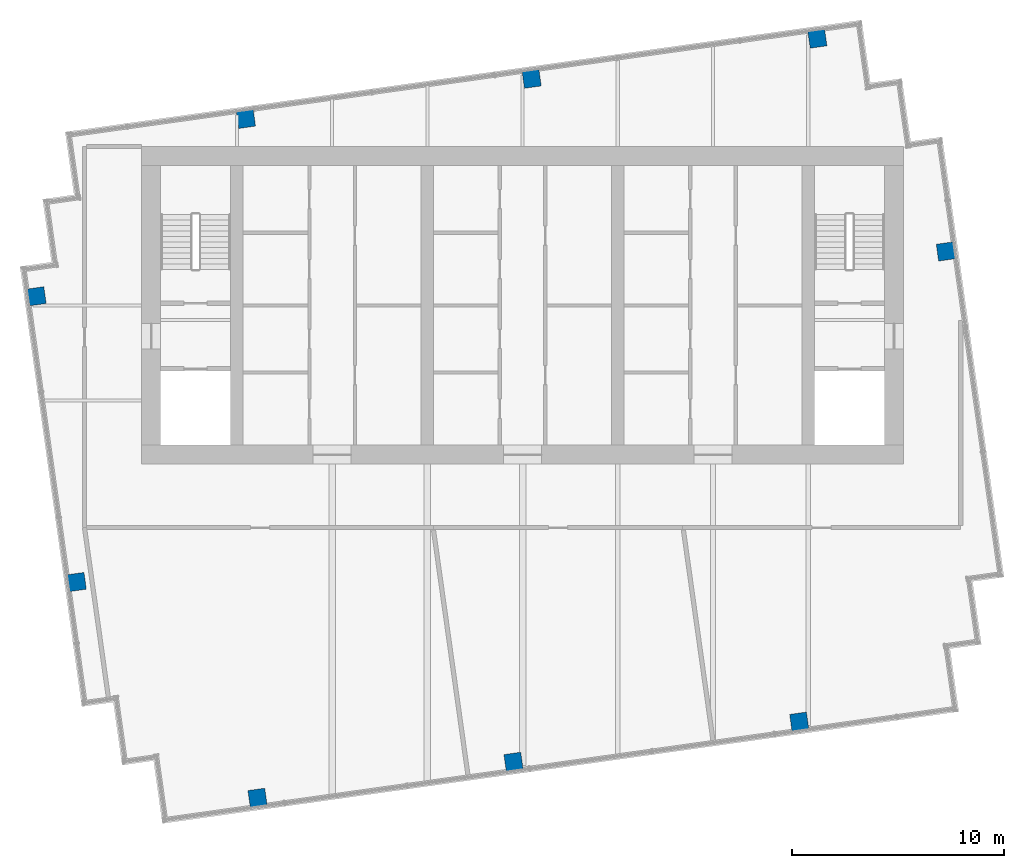
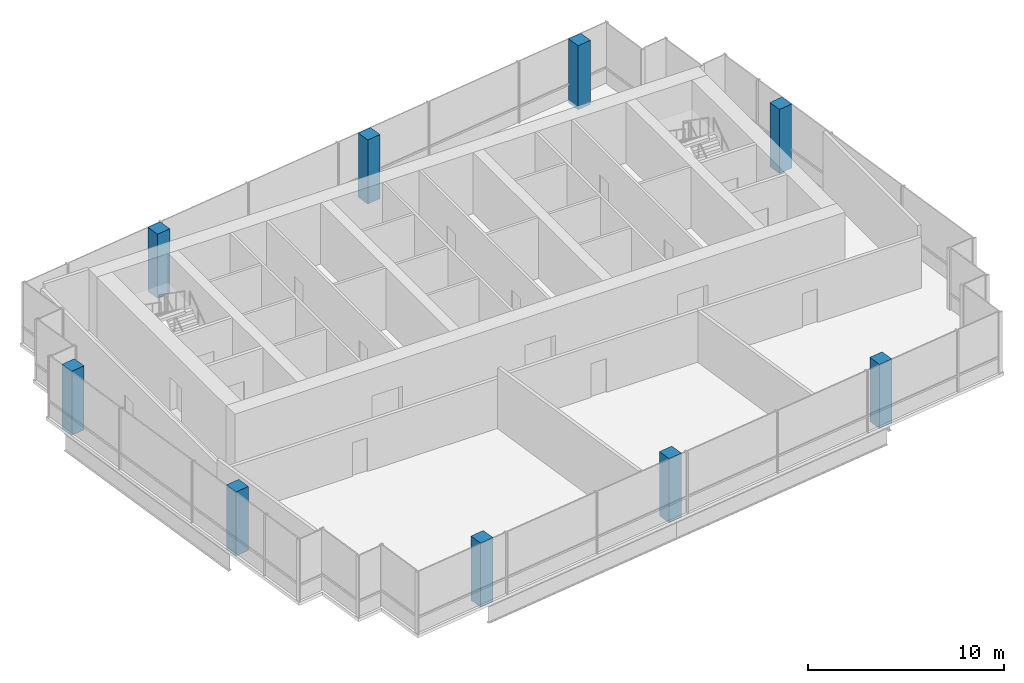
# One storey, part 1 of 10: 9 columns.
"""IFC4 building model written with IfcOpenShell, lengths in metres."""

from ifc_helpers import new_model, si_unit, direction, frame, origin, origin_2d, place, context, subcontext, project, spatial, rectangle, extrude, material, material_profile, profile_set, type_object, element, save


model = new_model("IFC4")

# Units and contexts
model_context = context("Model", 3, precision=1e-05, world=origin(), true_north=direction((0.0, 1.0)))
body_context = subcontext(model_context, "Body", "Model", "MODEL_VIEW")
ifc_project = project(units=[si_unit("LENGTHUNIT", "METRE"), si_unit("AREAUNIT", "SQUARE_METRE"), si_unit("VOLUMEUNIT", "CUBIC_METRE"), si_unit("PLANEANGLEUNIT", "RADIAN"), si_unit("MASSUNIT", "GRAM", prefix="KILO")], contexts=[model_context])

# Site, building, storey
site_placement = place(None, origin())
site = spatial("IfcSite", under=ifc_project, at=site_placement, CompositionType="ELEMENT")
building_placement = place(site_placement, origin())
building = spatial("IfcBuilding", under=site, at=building_placement, Name="Rattan Terrace Tower", CompositionType="ELEMENT")
storey_placement = place(building_placement, frame((0.0, 0.0, 308.300048828125)))
storey = spatial("IfcBuildingStorey", under=building, at=storey_placement, Name="C05", CompositionType="ELEMENT", Elevation=308.300048828125)

# Columns
ifc_material = material(Name="Concrete C40/50", Category="concrete")
ifc_material_profile = material_profile(ifc_material, rectangle(XDim=0.800048828125, YDim=0.800048828125, at=origin_2d()), Name="CFT 800x800")
ifc_profile_set = profile_set([ifc_material_profile], Name="Concrete C40/50")
column_type = type_object("IfcColumnType", Name="Frame lantern column CFT 800x800", PredefinedType="COLUMN", material=ifc_profile_set)
for number, where, z_axis, x_axis, name in (
    (1, (-12.52490234375, -23.26611328125, -0.199951171875), (0.0, 0.0, 1.0), (0.990265639562, 0.139190384377, 0.0), "exo-C05-001"),
    (2, (-0.428955078125, -21.56591796875, -0.199951171875), (0.0, 0.0, 1.0), (0.990265639562, 0.139190384377, 0.0), "exo-C05-002"),
    (3, (13.071044921875, -19.6689453125, -0.199951171875), (0.0, 0.0, 1.0), (0.990265639562, 0.139190384377, 0.0), "exo-C05-003"),
    (4, (-21.06591796875, -13.071044921875, -0.199951171875), (0.0, 0.0, 1.0), (-0.139190384377, 0.990265639562, 0.0), "exo-C05-004"),
    (5, (-22.962890625, 0.428955078125, -0.199951171875), (0.0, 0.0, 1.0), (-0.139190384377, 0.990265639562, 0.0), "exo-C05-005"),
    (6, (19.9990234375, 2.5458984375, -0.199951171875), (0.0, 0.0, 1.0), (-0.139190384377, 0.990265639562, 0.0), "exo-C05-006"),
    (7, (-13.071044921875, 8.80908203125, -0.199951171875), (0.0, 0.0, 1.0), (0.990265639562, 0.139190384377, 0.0), "exo-C05-007"),
    (8, (0.428955078125, 10.70703125, -0.199951171875), (0.0, 0.0, 1.0), (0.990265639562, 0.139190384377, 0.0), "exo-C05-008"),
    (9, (13.928955078125, 12.60400390625, -0.199951171875), (0.0, 0.0, 1.0), (0.990265639562, 0.139190384377, 0.0), "exo-C05-009"),
):
    element("IfcColumn", number, at=place(storey_placement, frame(where, z_axis=z_axis, x_axis=x_axis)), inside=storey, type_object=column_type, Name=name, PredefinedType="COLUMN", context=body_context, shape_type="SweptSolid", body=[
        extrude(rectangle(XDim=0.800048828125, YDim=0.800048828125, at=origin_2d()), origin(), (0.0, 0.0, 1.0), 4.0),
    ])

save(model, "model.ifc")
